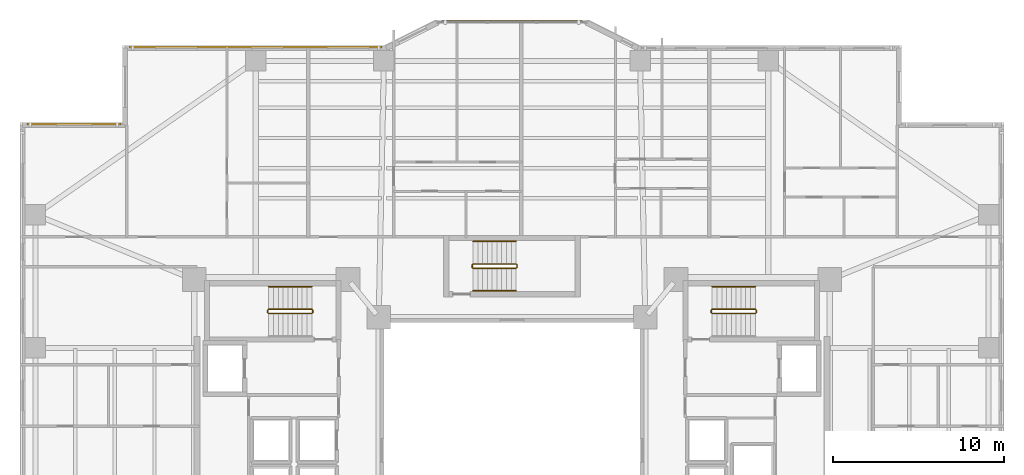
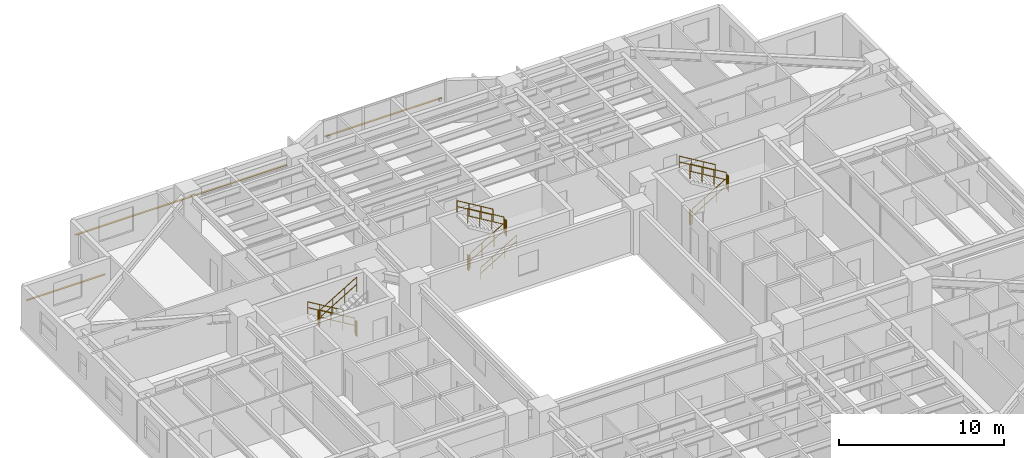
# One storey, part 21 of 22: 16 railings, 3 shading devices.
"""IFC4 building model written with IfcOpenShell, lengths in metres."""

from ifc_helpers import new_model, si_unit, direction, frame, origin, origin_2d, place, context, subcontext, project, spatial, rectangle, circle, extrude, material, material_profile, profile_set, type_object, element, save


model = new_model("IFC4")

# Units and contexts
model_context = context("Model", 3, precision=1e-05, world=origin(), true_north=direction((0.0, 1.0)))
body_context = subcontext(model_context, "Body", "Model", "MODEL_VIEW")
ifc_project = project(units=[si_unit("LENGTHUNIT", "METRE"), si_unit("AREAUNIT", "SQUARE_METRE"), si_unit("VOLUMEUNIT", "CUBIC_METRE"), si_unit("PLANEANGLEUNIT", "RADIAN"), si_unit("MASSUNIT", "GRAM", prefix="KILO")], contexts=[model_context])

# Site, building, storey
site_placement = place(None, origin())
site = spatial("IfcSite", under=ifc_project, at=site_placement, CompositionType="ELEMENT")
building_placement = place(site_placement, origin())
building = spatial("IfcBuilding", under=site, at=building_placement, Name="Tarnavaz Court Tower", CompositionType="ELEMENT")
storey_placement = place(building_placement, frame((0.0, 0.0, 57.5)))
storey = spatial("IfcBuildingStorey", under=building, at=storey_placement, Name="L15", CompositionType="ELEMENT", Elevation=57.5)

# Railings
ifc_material_1 = material(Name="Brushed Stainless Steel", Category="steel")
railing_type_1 = type_object("IfcRailingType", Name="RL-HANDRAIL-900", PredefinedType="HANDRAIL", material=ifc_material_1)
for number, where, name in (
    (1, (-11.719970703125, 9.590087890625, 0.16748046875), "L15 ST-W1 stair handrail 1"),
    (2, (14.239990234375, 9.590087890625, 1.842529296875), "L15 ST-E1 stair handrail 2"),
):
    element("IfcRailing", number, at=place(storey_placement, frame(where)), inside=storey, type_object=railing_type_1, Name=name, PredefinedType="HANDRAIL", context=body_context, shape_type="SweptSolid", body=[
        extrude(circle(Radius=0.02392578125, at=origin_2d()), frame((0.0, 0.0, 0.8759765625), z_axis=(-0.858159760407, 0.0, 0.513382728203), x_axis=(0.0, -1.0, 0.0)), (0.0, 0.0, 1.0), 2.9365234375),
        extrude(circle(Radius=0.02392578125, at=origin_2d()), frame((0.0, 0.0, 0.449951171875), z_axis=(-0.858159760407, 0.0, 0.513382728203), x_axis=(0.0, -1.0, 0.0)), (0.0, 0.0, 1.0), 2.9365234375),
        extrude(circle(Radius=0.02099609375, at=origin_2d()), origin(), (0.0, 0.0, 1.0), 0.851806640625),
        extrude(circle(Radius=0.02099609375, at=origin_2d()), frame((-0.840087890625, 0.0, 0.50244140625)), (0.0, 0.0, 1.0), 0.851806640625),
        extrude(circle(Radius=0.02099609375, at=origin_2d()), frame((-1.679931640625, 0.0, 1.005126953125)), (0.0, 0.0, 1.0), 0.851806640625),
        extrude(circle(Radius=0.02099609375, at=origin_2d()), frame((-2.52001953125, 0.0, 1.507568359375)), (0.0, 0.0, 1.0), 0.851806640625),
    ])
railing_1_placement = place(storey_placement, frame((-2.280029296875, 9.35009765625, 0.16748046875)))
element("IfcRailing", 3, at=railing_1_placement, inside=storey, type_object=railing_type_1, Name="L15 ST-N1 stair handrail 1", PredefinedType="HANDRAIL", context=body_context, shape_type="SweptSolid", body=[
    extrude(circle(Radius=0.02392578125, at=origin_2d()), frame((0.0, 0.0, 0.8759765625), z_axis=(0.858159760407, 0.0, 0.513382728203), x_axis=(0.0, 1.0, 0.0)), (0.0, 0.0, 1.0), 2.9365234375),
    extrude(circle(Radius=0.02392578125, at=origin_2d()), frame((0.0, 0.0, 0.449951171875), z_axis=(0.858159760407, 0.0, 0.513382728203), x_axis=(0.0, 1.0, 0.0)), (0.0, 0.0, 1.0), 2.9365234375),
    extrude(circle(Radius=0.02099609375, at=origin_2d()), origin(), (0.0, 0.0, 1.0), 0.851806640625),
    extrude(circle(Radius=0.02099609375, at=origin_2d()), frame((0.840087890625, 0.0, 0.50244140625)), (0.0, 0.0, 1.0), 0.851806640625),
    extrude(circle(Radius=0.02099609375, at=origin_2d()), frame((1.679931640625, 0.0, 1.005126953125)), (0.0, 0.0, 1.0), 0.851806640625),
    extrude(circle(Radius=0.02099609375, at=origin_2d()), frame((2.52001953125, 0.0, 1.507568359375)), (0.0, 0.0, 1.0), 0.851806640625),
])
railing_2_placement = place(storey_placement, frame((0.239990234375, 12.239990234375, 1.842529296875)))
element("IfcRailing", 4, at=railing_2_placement, inside=storey, type_object=railing_type_1, Name="L15 ST-N1 stair handrail 2", PredefinedType="HANDRAIL", context=body_context, shape_type="SweptSolid", body=[
    extrude(circle(Radius=0.02392578125, at=origin_2d()), frame((0.0, 0.0, 0.8759765625), z_axis=(-0.858159760407, 0.0, 0.513382728203), x_axis=(0.0, -1.0, 0.0)), (0.0, 0.0, 1.0), 2.9365234375),
    extrude(circle(Radius=0.02392578125, at=origin_2d()), frame((0.0, 0.0, 0.449951171875), z_axis=(-0.858159760407, 0.0, 0.513382728203), x_axis=(0.0, -1.0, 0.0)), (0.0, 0.0, 1.0), 2.9365234375),
    extrude(circle(Radius=0.02099609375, at=origin_2d()), origin(), (0.0, 0.0, 1.0), 0.851806640625),
    extrude(circle(Radius=0.02099609375, at=origin_2d()), frame((-0.840087890625, 0.0, 0.50244140625)), (0.0, 0.0, 1.0), 0.851806640625),
    extrude(circle(Radius=0.02099609375, at=origin_2d()), frame((-1.679931640625, 0.0, 1.005126953125)), (0.0, 0.0, 1.0), 0.851806640625),
    extrude(circle(Radius=0.02099609375, at=origin_2d()), frame((-2.52001953125, 0.0, 1.507568359375)), (0.0, 0.0, 1.0), 0.851806640625),
])
ifc_material_2 = material(Name="Galvanized Painted Tubular Steel", Category="steel")
railing_type_2 = type_object("IfcRailingType", Name="RL-STGUARD-1120", PredefinedType="GUARDRAIL", material=ifc_material_2)
railing_3_placement = place(storey_placement, frame((-11.719970703125, 8.27001953125, 0.16748046875)))
element("IfcRailing", 5, at=railing_3_placement, inside=storey, type_object=railing_type_2, Name="L15 ST-W1 stair guard 1", PredefinedType="GUARDRAIL", context=body_context, shape_type="SweptSolid", body=[
    extrude(circle(Radius=0.02392578125, at=origin_2d()), frame((0.0, 0.0, 1.09619140625), z_axis=(-0.858159760407, 0.0, 0.513382728203), x_axis=(0.0, -1.0, 0.0)), (0.0, 0.0, 1.0), 2.9365234375),
    extrude(circle(Radius=0.02392578125, at=origin_2d()), frame((0.0, 0.0, 0.56005859375), z_axis=(-0.858159760407, 0.0, 0.513382728203), x_axis=(0.0, -1.0, 0.0)), (0.0, 0.0, 1.0), 2.9365234375),
    extrude(circle(Radius=0.02099609375, at=origin_2d()), origin(), (0.0, 0.0, 1.0), 1.072021484375),
    extrude(circle(Radius=0.02099609375, at=origin_2d()), frame((-0.840087890625, 0.0, 0.50244140625)), (0.0, 0.0, 1.0), 1.072021484375),
    extrude(circle(Radius=0.02099609375, at=origin_2d()), frame((-1.679931640625, 0.0, 1.005126953125)), (0.0, 0.0, 1.0), 1.072021484375),
    extrude(circle(Radius=0.02099609375, at=origin_2d()), frame((-2.52001953125, 0.0, 1.507568359375)), (0.0, 0.0, 1.0), 1.072021484375),
])
railing_4_placement = place(storey_placement, frame((-14.2900390625, 8.219970703125, 1.675048828125)))
element("IfcRailing", 6, at=railing_4_placement, inside=storey, type_object=railing_type_2, Name="L15 ST-W1 stair guard 2", PredefinedType="GUARDRAIL", context=body_context, shape_type="SweptSolid", body=[
    extrude(circle(Radius=0.02392578125, at=origin_2d()), frame((0.0, 0.0, 1.09619140625), z_axis=(0.0, -1.0, 0.0), x_axis=(1.0, 0.0, 0.0)), (0.0, 0.0, 1.0), 0.14990234375),
    extrude(circle(Radius=0.02392578125, at=origin_2d()), frame((0.0, 0.0, 0.56005859375), z_axis=(0.0, -1.0, 0.0), x_axis=(1.0, 0.0, 0.0)), (0.0, 0.0, 1.0), 0.14990234375),
    extrude(circle(Radius=0.02099609375, at=origin_2d()), origin(), (0.0, 0.0, 1.0), 1.072021484375),
    extrude(circle(Radius=0.02099609375, at=origin_2d()), frame((0.0, -0.14990234375, 0.0)), (0.0, 0.0, 1.0), 1.072021484375),
])
railing_5_placement = place(storey_placement, frame((-14.239990234375, 8.02001953125, 1.842529296875)))
element("IfcRailing", 7, at=railing_5_placement, inside=storey, type_object=railing_type_2, Name="L15 ST-W1 stair guard 3", PredefinedType="GUARDRAIL", context=body_context, shape_type="SweptSolid", body=[
    extrude(circle(Radius=0.02392578125, at=origin_2d()), frame((0.0, 0.0, 1.09619140625), z_axis=(0.858159760407, 0.0, 0.513382728203), x_axis=(0.0, 1.0, 0.0)), (0.0, 0.0, 1.0), 2.9365234375),
    extrude(circle(Radius=0.02392578125, at=origin_2d()), frame((0.0, 0.0, 0.56005859375), z_axis=(0.858159760407, 0.0, 0.513382728203), x_axis=(0.0, 1.0, 0.0)), (0.0, 0.0, 1.0), 2.9365234375),
    extrude(circle(Radius=0.02099609375, at=origin_2d()), origin(), (0.0, 0.0, 1.0), 1.072021484375),
    extrude(circle(Radius=0.02099609375, at=origin_2d()), frame((0.840087890625, 0.0, 0.50244140625)), (0.0, 0.0, 1.0), 1.072021484375),
    extrude(circle(Radius=0.02099609375, at=origin_2d()), frame((1.679931640625, 0.0, 1.005126953125)), (0.0, 0.0, 1.0), 1.072021484375),
    extrude(circle(Radius=0.02099609375, at=origin_2d()), frame((2.52001953125, 0.0, 1.507568359375)), (0.0, 0.0, 1.0), 1.072021484375),
])
railing_6_placement = place(storey_placement, frame((-11.669921875, 8.219970703125, 0.0)))
element("IfcRailing", 8, at=railing_6_placement, inside=storey, type_object=railing_type_2, Name="L15 ST-W1 stair guard 4", PredefinedType="GUARDRAIL", context=body_context, shape_type="SweptSolid", body=[
    extrude(circle(Radius=0.02392578125, at=origin_2d()), frame((0.0, 0.0, 1.09619140625), z_axis=(0.0, -1.0, 0.0), x_axis=(1.0, 0.0, 0.0)), (0.0, 0.0, 1.0), 0.14990234375),
    extrude(circle(Radius=0.02392578125, at=origin_2d()), frame((0.0, 0.0, 0.56005859375), z_axis=(0.0, -1.0, 0.0), x_axis=(1.0, 0.0, 0.0)), (0.0, 0.0, 1.0), 0.14990234375),
    extrude(circle(Radius=0.02099609375, at=origin_2d()), origin(), (0.0, 0.0, 1.0), 1.072021484375),
    extrude(circle(Radius=0.02099609375, at=origin_2d()), frame((0.0, -0.14990234375, 0.0)), (0.0, 0.0, 1.0), 1.072021484375),
])
railing_7_placement = place(storey_placement, frame((11.719970703125, 8.02001953125, 0.16748046875)))
element("IfcRailing", 9, at=railing_7_placement, inside=storey, type_object=railing_type_2, Name="L15 ST-E1 stair guard 1", PredefinedType="GUARDRAIL", context=body_context, shape_type="SweptSolid", body=[
    extrude(circle(Radius=0.02392578125, at=origin_2d()), frame((0.0, 0.0, 1.09619140625), z_axis=(0.858159760407, 0.0, 0.513382728203), x_axis=(0.0, 1.0, 0.0)), (0.0, 0.0, 1.0), 2.9365234375),
    extrude(circle(Radius=0.02392578125, at=origin_2d()), frame((0.0, 0.0, 0.56005859375), z_axis=(0.858159760407, 0.0, 0.513382728203), x_axis=(0.0, 1.0, 0.0)), (0.0, 0.0, 1.0), 2.9365234375),
    extrude(circle(Radius=0.02099609375, at=origin_2d()), origin(), (0.0, 0.0, 1.0), 1.072021484375),
    extrude(circle(Radius=0.02099609375, at=origin_2d()), frame((0.840087890625, 0.0, 0.50244140625)), (0.0, 0.0, 1.0), 1.072021484375),
    extrude(circle(Radius=0.02099609375, at=origin_2d()), frame((1.679931640625, 0.0, 1.005126953125)), (0.0, 0.0, 1.0), 1.072021484375),
    extrude(circle(Radius=0.02099609375, at=origin_2d()), frame((2.52001953125, 0.0, 1.507568359375)), (0.0, 0.0, 1.0), 1.072021484375),
])
railing_8_placement = place(storey_placement, frame((14.2900390625, 8.070068359375, 1.675048828125)))
element("IfcRailing", 10, at=railing_8_placement, inside=storey, type_object=railing_type_2, Name="L15 ST-E1 stair guard 2", PredefinedType="GUARDRAIL", context=body_context, shape_type="SweptSolid", body=[
    extrude(circle(Radius=0.02392578125, at=origin_2d()), frame((0.0, 0.0, 1.09619140625), z_axis=(0.0, 1.0, 0.0), x_axis=(-1.0, 0.0, 0.0)), (0.0, 0.0, 1.0), 0.14990234375),
    extrude(circle(Radius=0.02392578125, at=origin_2d()), frame((0.0, 0.0, 0.56005859375), z_axis=(0.0, 1.0, 0.0), x_axis=(-1.0, 0.0, 0.0)), (0.0, 0.0, 1.0), 0.14990234375),
    extrude(circle(Radius=0.02099609375, at=origin_2d()), origin(), (0.0, 0.0, 1.0), 1.072021484375),
    extrude(circle(Radius=0.02099609375, at=origin_2d()), frame((0.0, 0.14990234375, 0.0)), (0.0, 0.0, 1.0), 1.072021484375),
])
railing_9_placement = place(storey_placement, frame((14.239990234375, 8.27001953125, 1.842529296875)))
element("IfcRailing", 11, at=railing_9_placement, inside=storey, type_object=railing_type_2, Name="L15 ST-E1 stair guard 3", PredefinedType="GUARDRAIL", context=body_context, shape_type="SweptSolid", body=[
    extrude(circle(Radius=0.02392578125, at=origin_2d()), frame((0.0, 0.0, 1.09619140625), z_axis=(-0.858159760407, 0.0, 0.513382728203), x_axis=(0.0, -1.0, 0.0)), (0.0, 0.0, 1.0), 2.9365234375),
    extrude(circle(Radius=0.02392578125, at=origin_2d()), frame((0.0, 0.0, 0.56005859375), z_axis=(-0.858159760407, 0.0, 0.513382728203), x_axis=(0.0, -1.0, 0.0)), (0.0, 0.0, 1.0), 2.9365234375),
    extrude(circle(Radius=0.02099609375, at=origin_2d()), origin(), (0.0, 0.0, 1.0), 1.072021484375),
    extrude(circle(Radius=0.02099609375, at=origin_2d()), frame((-0.840087890625, 0.0, 0.50244140625)), (0.0, 0.0, 1.0), 1.072021484375),
    extrude(circle(Radius=0.02099609375, at=origin_2d()), frame((-1.679931640625, 0.0, 1.005126953125)), (0.0, 0.0, 1.0), 1.072021484375),
    extrude(circle(Radius=0.02099609375, at=origin_2d()), frame((-2.52001953125, 0.0, 1.507568359375)), (0.0, 0.0, 1.0), 1.072021484375),
])
railing_10_placement = place(storey_placement, frame((11.669921875, 8.070068359375, 0.0)))
element("IfcRailing", 12, at=railing_10_placement, inside=storey, type_object=railing_type_2, Name="L15 ST-E1 stair guard 4", PredefinedType="GUARDRAIL", context=body_context, shape_type="SweptSolid", body=[
    extrude(circle(Radius=0.02392578125, at=origin_2d()), frame((0.0, 0.0, 1.09619140625), z_axis=(0.0, 1.0, 0.0), x_axis=(-1.0, 0.0, 0.0)), (0.0, 0.0, 1.0), 0.14990234375),
    extrude(circle(Radius=0.02392578125, at=origin_2d()), frame((0.0, 0.0, 0.56005859375), z_axis=(0.0, 1.0, 0.0), x_axis=(-1.0, 0.0, 0.0)), (0.0, 0.0, 1.0), 0.14990234375),
    extrude(circle(Radius=0.02099609375, at=origin_2d()), origin(), (0.0, 0.0, 1.0), 1.072021484375),
    extrude(circle(Radius=0.02099609375, at=origin_2d()), frame((0.0, 0.14990234375, 0.0)), (0.0, 0.0, 1.0), 1.072021484375),
])
railing_11_placement = place(storey_placement, frame((-2.280029296875, 10.669921875, 0.16748046875)))
element("IfcRailing", 13, at=railing_11_placement, inside=storey, type_object=railing_type_2, Name="L15 ST-N1 stair guard 1", PredefinedType="GUARDRAIL", context=body_context, shape_type="SweptSolid", body=[
    extrude(circle(Radius=0.02392578125, at=origin_2d()), frame((0.0, 0.0, 1.09619140625), z_axis=(0.858159760407, 0.0, 0.513382728203), x_axis=(0.0, 1.0, 0.0)), (0.0, 0.0, 1.0), 2.9365234375),
    extrude(circle(Radius=0.02392578125, at=origin_2d()), frame((0.0, 0.0, 0.56005859375), z_axis=(0.858159760407, 0.0, 0.513382728203), x_axis=(0.0, 1.0, 0.0)), (0.0, 0.0, 1.0), 2.9365234375),
    extrude(circle(Radius=0.02099609375, at=origin_2d()), origin(), (0.0, 0.0, 1.0), 1.072021484375),
    extrude(circle(Radius=0.02099609375, at=origin_2d()), frame((0.840087890625, 0.0, 0.50244140625)), (0.0, 0.0, 1.0), 1.072021484375),
    extrude(circle(Radius=0.02099609375, at=origin_2d()), frame((1.679931640625, 0.0, 1.005126953125)), (0.0, 0.0, 1.0), 1.072021484375),
    extrude(circle(Radius=0.02099609375, at=origin_2d()), frame((2.52001953125, 0.0, 1.507568359375)), (0.0, 0.0, 1.0), 1.072021484375),
])
railing_12_placement = place(storey_placement, frame((0.2900390625, 10.719970703125, 1.675048828125)))
element("IfcRailing", 14, at=railing_12_placement, inside=storey, type_object=railing_type_2, Name="L15 ST-N1 stair guard 2", PredefinedType="GUARDRAIL", context=body_context, shape_type="SweptSolid", body=[
    extrude(circle(Radius=0.02392578125, at=origin_2d()), frame((0.0, 0.0, 1.09619140625), z_axis=(0.0, 1.0, 0.0), x_axis=(-1.0, 0.0, 0.0)), (0.0, 0.0, 1.0), 0.150146484375),
    extrude(circle(Radius=0.02392578125, at=origin_2d()), frame((0.0, 0.0, 0.56005859375), z_axis=(0.0, 1.0, 0.0), x_axis=(-1.0, 0.0, 0.0)), (0.0, 0.0, 1.0), 0.150146484375),
    extrude(circle(Radius=0.02099609375, at=origin_2d()), origin(), (0.0, 0.0, 1.0), 1.072021484375),
    extrude(circle(Radius=0.02099609375, at=origin_2d()), frame((0.0, 0.150146484375, 0.0)), (0.0, 0.0, 1.0), 1.072021484375),
])
railing_13_placement = place(storey_placement, frame((0.239990234375, 10.919921875, 1.842529296875)))
element("IfcRailing", 15, at=railing_13_placement, inside=storey, type_object=railing_type_2, Name="L15 ST-N1 stair guard 3", PredefinedType="GUARDRAIL", context=body_context, shape_type="SweptSolid", body=[
    extrude(circle(Radius=0.02392578125, at=origin_2d()), frame((0.0, 0.0, 1.09619140625), z_axis=(-0.858159760407, 0.0, 0.513382728203), x_axis=(0.0, -1.0, 0.0)), (0.0, 0.0, 1.0), 2.9365234375),
    extrude(circle(Radius=0.02392578125, at=origin_2d()), frame((0.0, 0.0, 0.56005859375), z_axis=(-0.858159760407, 0.0, 0.513382728203), x_axis=(0.0, -1.0, 0.0)), (0.0, 0.0, 1.0), 2.9365234375),
    extrude(circle(Radius=0.02099609375, at=origin_2d()), origin(), (0.0, 0.0, 1.0), 1.072021484375),
    extrude(circle(Radius=0.02099609375, at=origin_2d()), frame((-0.840087890625, 0.0, 0.50244140625)), (0.0, 0.0, 1.0), 1.072021484375),
    extrude(circle(Radius=0.02099609375, at=origin_2d()), frame((-1.679931640625, 0.0, 1.005126953125)), (0.0, 0.0, 1.0), 1.072021484375),
    extrude(circle(Radius=0.02099609375, at=origin_2d()), frame((-2.52001953125, 0.0, 1.507568359375)), (0.0, 0.0, 1.0), 1.072021484375),
])
railing_14_placement = place(storey_placement, frame((-2.330078125, 10.719970703125, 0.0)))
element("IfcRailing", 16, at=railing_14_placement, inside=storey, type_object=railing_type_2, Name="L15 ST-N1 stair guard 4", PredefinedType="GUARDRAIL", context=body_context, shape_type="SweptSolid", body=[
    extrude(circle(Radius=0.02392578125, at=origin_2d()), frame((0.0, 0.0, 1.09619140625), z_axis=(0.0, 1.0, 0.0), x_axis=(-1.0, 0.0, 0.0)), (0.0, 0.0, 1.0), 0.150146484375),
    extrude(circle(Radius=0.02392578125, at=origin_2d()), frame((0.0, 0.0, 0.56005859375), z_axis=(0.0, 1.0, 0.0), x_axis=(-1.0, 0.0, 0.0)), (0.0, 0.0, 1.0), 0.150146484375),
    extrude(circle(Radius=0.02099609375, at=origin_2d()), origin(), (0.0, 0.0, 1.0), 1.072021484375),
    extrude(circle(Radius=0.02099609375, at=origin_2d()), frame((0.0, 0.150146484375, 0.0)), (0.0, 0.0, 1.0), 1.072021484375),
])

# Shading devices
ifc_material_3 = material(Name="Kiln-Fired Khorasan Terracotta Ceramic", Category="masonry")
ifc_material_profile = material_profile(ifc_material_3, rectangle(XDim=0.1201171875, YDim=0.06005859375, at=origin_2d()), Name="TC BAGUETTE 120X60")
ifc_profile_set = profile_set([ifc_material_profile], Name="Kiln-Fired Khorasan Terracotta Ceramic")
shading_device_type = type_object("IfcShadingDeviceType", Name="SD-BAG-120", PredefinedType="USERDEFINED", material=ifc_profile_set)
shading_device_1_placement = place(storey_placement, frame((-28.39990234375, 19.110107421875, 1.85009765625), z_axis=(1.0, 0.0, 0.0), x_axis=(0.0, 1.0, 0.0)))
element("IfcShadingDevice", 17, at=shading_device_1_placement, inside=storey, type_object=shading_device_type, Name="L15 Terracotta Baguette Screen FBG03", ObjectType="BAGUETTE", PredefinedType="USERDEFINED", context=body_context, shape_type="SweptSolid", body=[
    extrude(rectangle(XDim=0.1201171875, YDim=0.06005859375, at=origin_2d()), origin(), (0.0, 0.0, 1.0), 5.5),
])
shading_device_2_placement = place(storey_placement, frame((-22.39990234375, 23.610107421875, 1.85009765625), z_axis=(1.0, 0.0, 0.0), x_axis=(0.0, 1.0, 0.0)))
element("IfcShadingDevice", 18, at=shading_device_2_placement, inside=storey, type_object=shading_device_type, Name="L15 Terracotta Baguette Screen FBG05", ObjectType="BAGUETTE", PredefinedType="USERDEFINED", context=body_context, shape_type="SweptSolid", body=[
    extrude(rectangle(XDim=0.1201171875, YDim=0.06005859375, at=origin_2d()), origin(), (0.0, 0.0, 1.0), 14.7998046875),
])
shading_device_3_placement = place(storey_placement, frame((-4.10009765625, 25.110107421875, 1.800048828125), z_axis=(1.0, 0.0, 0.0), x_axis=(0.0, 1.0, 0.0)))
element("IfcShadingDevice", 19, at=shading_device_3_placement, inside=storey, type_object=shading_device_type, Name="L15 Terracotta Baguette Screen PBG7", ObjectType="BAGUETTE", PredefinedType="USERDEFINED", context=body_context, shape_type="SweptSolid", body=[
    extrude(rectangle(XDim=0.1201171875, YDim=0.06005859375, at=origin_2d()), origin(), (0.0, 0.0, 1.0), 8.2001953125),
])

save(model, "model.ifc")
